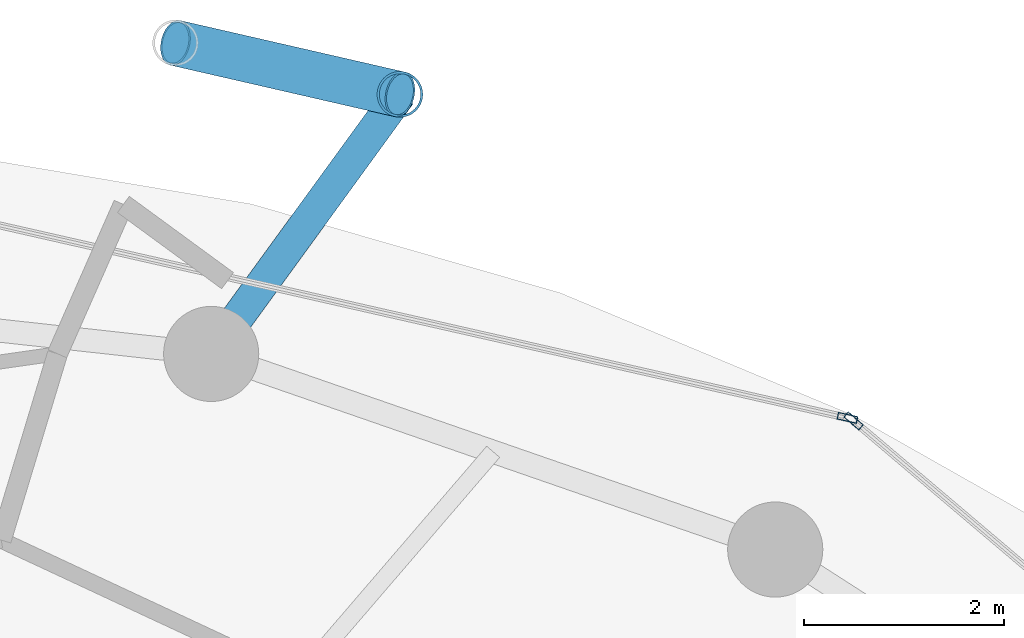
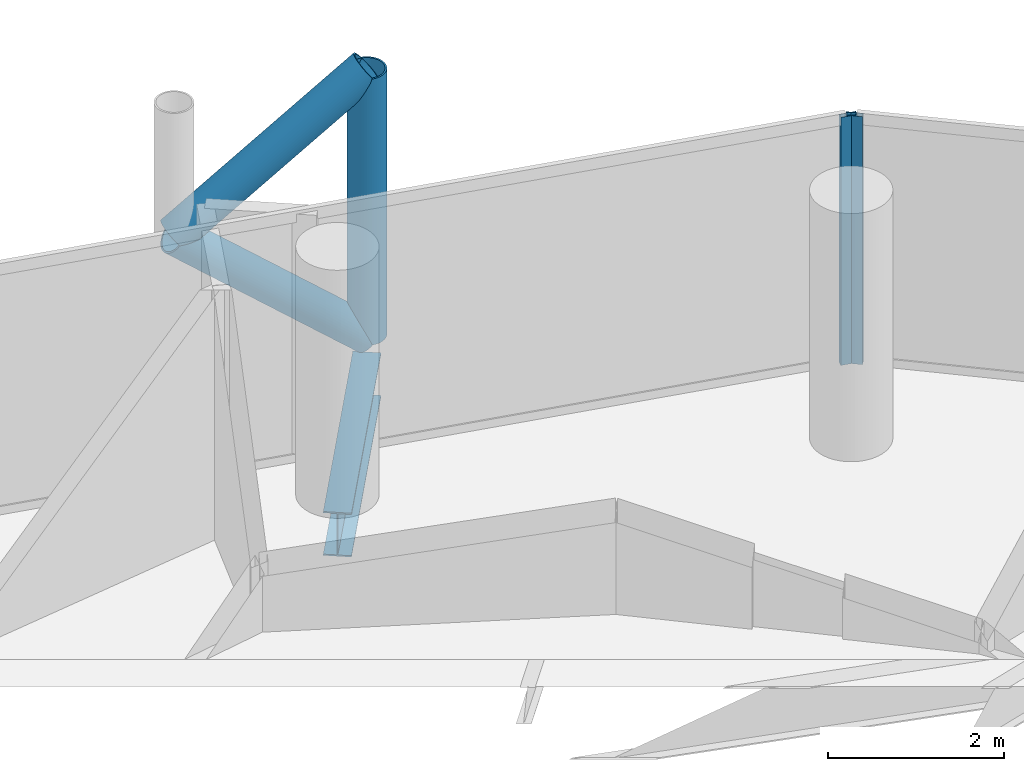
# One storey, part 20 of 26: 5 members, 1 beam, 2 elements without a shape of their own.
"""IFC4 building model written with IfcOpenShell, lengths in metres."""

from ifc_helpers import new_model, si_unit, direction, frame, origin, origin_2d, place, context, subcontext, project, spatial, hollow_rectangle, hollow_circle, i_section, extrude, material, layer, layer_set, material_profile, profile_set, type_object, element, aggregate, save


model = new_model("IFC4")

# Units and contexts
model_context = context("Model", 3, precision=1e-05, world=origin(), true_north=direction((0.0, 1.0)))
body_context = subcontext(model_context, "Body", "Model", "MODEL_VIEW")
ifc_project = project(units=[si_unit("LENGTHUNIT", "METRE"), si_unit("AREAUNIT", "SQUARE_METRE"), si_unit("VOLUMEUNIT", "CUBIC_METRE"), si_unit("PLANEANGLEUNIT", "RADIAN"), si_unit("MASSUNIT", "GRAM", prefix="KILO")], contexts=[model_context])

# Site, building, storey
site_placement = place(None, origin())
site = spatial("IfcSite", under=ifc_project, at=site_placement, CompositionType="ELEMENT")
building_placement = place(site_placement, origin())
building = spatial("IfcBuilding", under=site, at=building_placement, Name="Nuhasar Tower", CompositionType="ELEMENT")
storey_placement = place(building_placement, frame((0.0, 0.0, 151.550048828125)))
storey = spatial("IfcBuildingStorey", under=building, at=storey_placement, Name="L36", CompositionType="ELEMENT", Elevation=151.550048828125)

# Beam
ifc_material_1 = material(Name="Steel S355", Category="steel")
ifc_material_profile_1 = material_profile(ifc_material_1, i_section(OverallWidth=0.323974609375, OverallDepth=0.611083984375, WebThickness=0.0126953125, FlangeThickness=0.01904296875, at=origin_2d()), Name="W24X104")
ifc_profile_set_1 = profile_set([ifc_material_profile_1], Name="Steel S355")
beam_type = type_object("IfcBeamType", Name="BM-TIE-W24X104", PredefinedType="BEAM", material=ifc_profile_set_1)
beam_placement = place(storey_placement, frame((45.04296875, 45.68408203125, -0.554931640625), z_axis=(0.588185286445, 0.808726201387, 0.0), x_axis=(-0.808726201387, 0.588185286445, 0.0)))
element("IfcBeam", 1, at=beam_placement, inside=storey, type_object=beam_type, Name="L36 Exoskeleton Node Tie Beam 03", PredefinedType="BEAM", context=body_context, shape_type="SweptSolid", body=[
    extrude(i_section(OverallWidth=0.323974609375, OverallDepth=0.611083984375, WebThickness=0.0126953125, FlangeThickness=0.01904296875, at=origin_2d()), origin(), (0.0, 0.0, 1.0), 3.204833984375),
])

# Curtain wall, member
ifc_material_2 = material(Name="Aluminium 6063-T6", Category="aluminium")
ifc_layer = layer(ifc_material_2, 0.199951171875)
ifc_layer_set = layer_set([ifc_layer], Name="Aluminium 6063-T6")
curtain_wall_type = type_object("IfcCurtainWallType", Name="CW-Z2-HTL", PredefinedType="NOTDEFINED", material=ifc_layer_set)
curtain_wall_1_placement = place(storey_placement, origin())
curtain_wall_1 = element("IfcCurtainWall", 2, at=curtain_wall_1_placement, inside=storey, type_object=curtain_wall_type, Name="L36 Unitised Curtain Wall 02", PredefinedType="NOTDEFINED")
ifc_material_profile_2 = material_profile(ifc_material_2, hollow_rectangle(XDim=0.070068359375, YDim=0.199951171875, WallThickness=0.0048828125, at=origin_2d()), Name="CWM-3")
ifc_profile_set_2 = profile_set([ifc_material_profile_2], Name="Aluminium 6063-T6")
member_type_1 = type_object("IfcMemberType", Name="CW-MUL-S3", PredefinedType="MULLION", material=ifc_profile_set_2)
member_1_placement = place(storey_placement, frame((51.456787109375, 45.015380859375, 0.0), z_axis=(0.0, 0.0, 1.0), x_axis=(-0.646374438324, -0.763020370292, 0.0)))
member_1 = element("IfcMember", 3, at=member_1_placement, type_object=member_type_1, Name="CW-Z2 mullion 2", PredefinedType="MULLION", context=body_context, shape_type="SweptSolid", body=[
    extrude(hollow_rectangle(XDim=0.070068359375, YDim=0.199951171875, WallThickness=0.0048828125, at=origin_2d()), origin(), (0.0, 0.0, 1.0), 3.449951171875),
])
aggregate(curtain_wall_1, [member_1])

curtain_wall_2_placement = place(storey_placement, origin())
curtain_wall_2 = element("IfcCurtainWall", 4, at=curtain_wall_2_placement, inside=storey, type_object=curtain_wall_type, Name="L36 Unitised Curtain Wall 03", PredefinedType="NOTDEFINED")
member_2_placement = place(storey_placement, frame((51.395751953125, 45.045654296875, 0.0), z_axis=(0.0, 0.0, 1.0), x_axis=(-0.22139729566, -0.975183694221, 0.0)))
member_2 = element("IfcMember", 5, at=member_2_placement, type_object=member_type_1, Name="CW-Z2 mullion 1", PredefinedType="MULLION", context=body_context, shape_type="SweptSolid", body=[
    extrude(hollow_rectangle(XDim=0.070068359375, YDim=0.199951171875, WallThickness=0.0048828125, at=origin_2d()), origin(), (0.0, 0.0, 1.0), 3.449951171875),
])
aggregate(curtain_wall_2, [member_2])

# Members
ifc_material_3 = material(Name="Steel S460", Category="steel")
ifc_material_profile_3 = material_profile(ifc_material_3, hollow_circle(Radius=0.228515625, WallThickness=0.022216796875, at=origin_2d()), Name="HSS457X22.2")
ifc_profile_set_3 = profile_set([ifc_material_profile_3], Name="Steel S460")
member_type_2 = type_object("IfcMemberType", Name="EXO-BRONZE-457", PredefinedType="BRACE", material=ifc_profile_set_3)
member_3_placement = place(storey_placement, frame((46.927978515625, 48.27587890625, 0.0), z_axis=(0.0, 0.0, 1.0), x_axis=(1.0, 0.0, 0.0)))
element("IfcMember", 6, at=member_3_placement, inside=storey, type_object=member_type_2, Name="L36 Exoskeleton Chord Column EC-03A", PredefinedType="BRACE", context=body_context, shape_type="SweptSolid", body=[
    extrude(hollow_circle(Radius=0.228515625, WallThickness=0.022216796875, at=origin_2d()), origin(), (0.0, 0.0, 1.0), 3.699951171875),
])
member_4_placement = place(storey_placement, frame((46.927978515625, 48.27587890625, 0.0), z_axis=(-0.759538919781, 0.174190239035, 0.626704388019), x_axis=(-0.223533724104, -0.974696195842, 0.0)))
element("IfcMember", 7, at=member_4_placement, inside=storey, type_object=member_type_2, Name="L36 Bronze Diagrid Brace W1-03", PredefinedType="BRACE", context=body_context, shape_type="SweptSolid", body=[
    extrude(hollow_circle(Radius=0.228515625, WallThickness=0.022216796875, at=origin_2d()), origin(), (0.0, 0.0, 1.0), 2.95166015625),
])
member_5_placement = place(storey_placement, frame((44.68603515625, 48.7900390625, 1.849853515625), z_axis=(0.759499549084, -0.174181209885, 0.626754609927), x_axis=(0.223533724104, 0.974696195842, 0.0)))
element("IfcMember", 8, at=member_5_placement, inside=storey, type_object=member_type_2, Name="L36 Bronze Diagrid Brace W2-03", PredefinedType="BRACE", context=body_context, shape_type="SweptSolid", body=[
    extrude(hollow_circle(Radius=0.228515625, WallThickness=0.022216796875, at=origin_2d()), origin(), (0.0, 0.0, 1.0), 2.951904296875),
])

save(model, "model.ifc")
